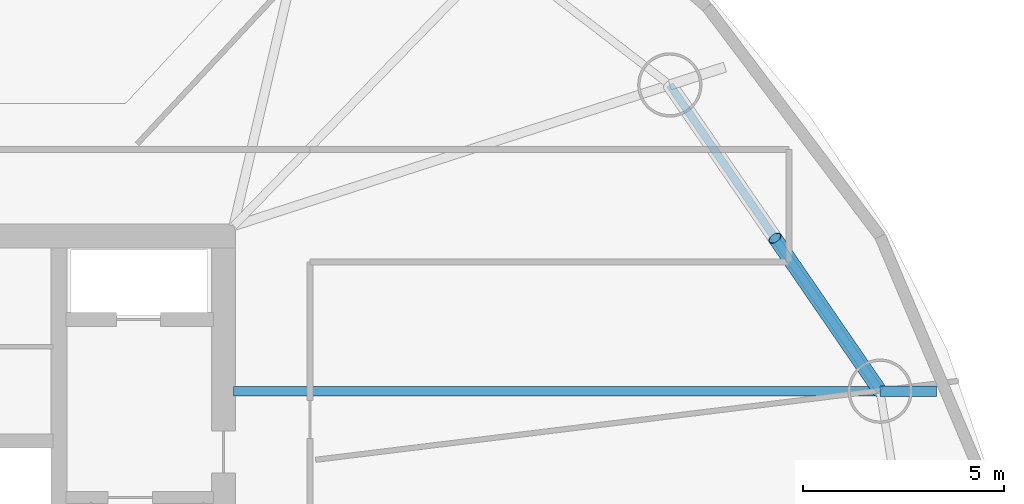
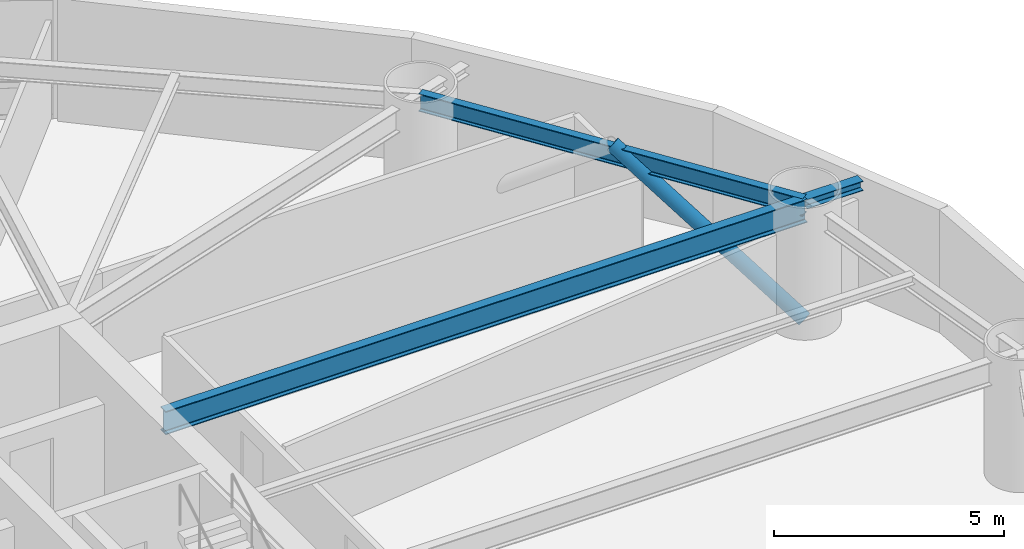
# One storey, part 10 of 23: 3 beams, 1 member.
"""IFC4 building model written with IfcOpenShell, lengths in metres."""

from ifc_helpers import new_model, si_unit, direction, frame, origin, origin_2d, place, context, subcontext, project, spatial, hollow_circle, i_section, extrude, material, material_profile, profile_set, type_object, element, save


model = new_model("IFC4")

# Units and contexts
model_context = context("Model", 3, precision=1e-05, world=origin(), true_north=direction((0.0, 1.0)))
body_context = subcontext(model_context, "Body", "Model", "MODEL_VIEW")
ifc_project = project(units=[si_unit("LENGTHUNIT", "METRE"), si_unit("AREAUNIT", "SQUARE_METRE"), si_unit("VOLUMEUNIT", "CUBIC_METRE"), si_unit("PLANEANGLEUNIT", "RADIAN"), si_unit("MASSUNIT", "GRAM", prefix="KILO")], contexts=[model_context])

# Site, building, storey
site_placement = place(None, origin())
site = spatial("IfcSite", under=ifc_project, at=site_placement, CompositionType="ELEMENT")
building_placement = place(site_placement, origin())
building = spatial("IfcBuilding", under=site, at=building_placement, Name="Bramvorn Convention Spire", CompositionType="ELEMENT")
storey_placement = place(building_placement, frame((0.0, 0.0, 65.89990234375)))
storey = spatial("IfcBuildingStorey", under=building, at=storey_placement, Name="L14", CompositionType="ELEMENT", Elevation=65.89990234375)

# Beams
ifc_material = material(Name="Steel CSA G40.21 Grade 350 (350W)", Category="steel")
ifc_material_profile_1 = material_profile(ifc_material, i_section(OverallWidth=0.25390625, OverallDepth=0.2529296875, WebThickness=0.008544921875, FlangeThickness=0.01416015625, FilletRadius=0.011962890625, at=origin_2d()))
ifc_profile_set_1 = profile_set([ifc_material_profile_1], Name="Steel CSA G40.21 Grade 350 (350W) - W250X73")
beam_type_1 = type_object("IfcBeamType", Name="BM-W250X73", PredefinedType="BEAM", material=ifc_profile_set_1)
beam_1_placement = place(storey_placement, frame((65.338623046875, 29.340087890625, 3.12353515625), z_axis=(1.0, 0.0, 0.0), x_axis=(0.0, 1.0, 0.0)))
element("IfcBeam", 1, at=beam_1_placement, inside=storey, type_object=beam_type_1, Name="L14 slab-edge cantilever tip beam MC02", PredefinedType="BEAM", context=body_context, shape_type="SweptSolid", body=[
    extrude(i_section(OverallWidth=0.25390625, OverallDepth=0.2529296875, WebThickness=0.008544921875, FlangeThickness=0.01416015625, FilletRadius=0.011962890625, at=origin_2d()), origin(), (0.0, 0.0, 1.0), 1.402099609375),
])
ifc_material_profile_2 = material_profile(ifc_material, i_section(OverallWidth=0.194091796875, OverallDepth=0.468994140625, WebThickness=0.0126953125, FlangeThickness=0.0205078125, FilletRadius=0.01806640625, at=origin_2d()))
ifc_profile_set_2 = profile_set([ifc_material_profile_2], Name="Steel CSA G40.21 Grade 350 (350W) - W460X106")
beam_type_2 = type_object("IfcBeamType", Name="BM-W460X106", PredefinedType="SPANDREL", material=ifc_profile_set_2)
beam_2_placement = place(storey_placement, frame((65.338623046875, 29.340087890625, 3.015625), z_axis=(-0.566129730789, 0.824316157743, 0.0), x_axis=(-0.824316157743, -0.566129730789, 0.0)))
element("IfcBeam", 2, at=beam_2_placement, inside=storey, type_object=beam_type_2, Name="L14 mega-column ring beam 02", PredefinedType="SPANDREL", context=body_context, shape_type="SweptSolid", body=[
    extrude(i_section(OverallWidth=0.194091796875, OverallDepth=0.468994140625, WebThickness=0.0126953125, FlangeThickness=0.0205078125, FilletRadius=0.01806640625, at=origin_2d()), origin(), (0.0, 0.0, 1.0), 9.244140625),
])
ifc_material_profile_3 = material_profile(ifc_material, i_section(OverallWidth=0.22998046875, OverallDepth=0.616943359375, WebThickness=0.01318359375, FlangeThickness=0.022216796875, FilletRadius=0.02001953125, at=origin_2d()))
ifc_profile_set_3 = profile_set([ifc_material_profile_3], Name="Steel CSA G40.21 Grade 350 (350W) - W610X140")
beam_type_3 = type_object("IfcBeamType", Name="BM-W610X140", PredefinedType="BEAM", material=ifc_profile_set_3)
beam_3_placement = place(storey_placement, frame((49.25, 29.340087890625, 2.941650390625), z_axis=(1.0, 0.0, 0.0), x_axis=(0.0, 1.0, 0.0)))
element("IfcBeam", 3, at=beam_3_placement, inside=storey, type_object=beam_type_3, Name="L14 radial floor girder MC02", PredefinedType="BEAM", context=body_context, shape_type="SweptSolid", body=[
    extrude(i_section(OverallWidth=0.22998046875, OverallDepth=0.616943359375, WebThickness=0.01318359375, FlangeThickness=0.022216796875, FilletRadius=0.02001953125, at=origin_2d()), origin(), (0.0, 0.0, 1.0), 16.088623046875),
])

# Member
ifc_material_profile_4 = material_profile(ifc_material, hollow_circle(Radius=0.177734375, WallThickness=0.015869140625, at=origin_2d()))
ifc_profile_set_4 = profile_set([ifc_material_profile_4], Name="Steel CSA G40.21 Grade 350 (350W) - CHS356X16")
member_type = type_object("IfcMemberType", Name="MBR-CHS356X16", PredefinedType="BRACE", material=ifc_profile_set_4)
member_placement = place(storey_placement, frame((65.338623046875, 29.340087890625, 0.0), z_axis=(-0.463106048325, 0.674307985647, 0.575188254833), x_axis=(-0.824316157743, -0.566129730789, 0.0)))
element("IfcMember", 4, at=member_placement, inside=storey, type_object=member_type, Name="L14 perimeter Gothic lancet brace 2A", PredefinedType="BRACE", context=body_context, shape_type="SweptSolid", body=[
    extrude(hollow_circle(Radius=0.177734375, WallThickness=0.015869140625, at=origin_2d()), origin(), (0.0, 0.0, 1.0), 5.650390625),
])

save(model, "model.ifc")
